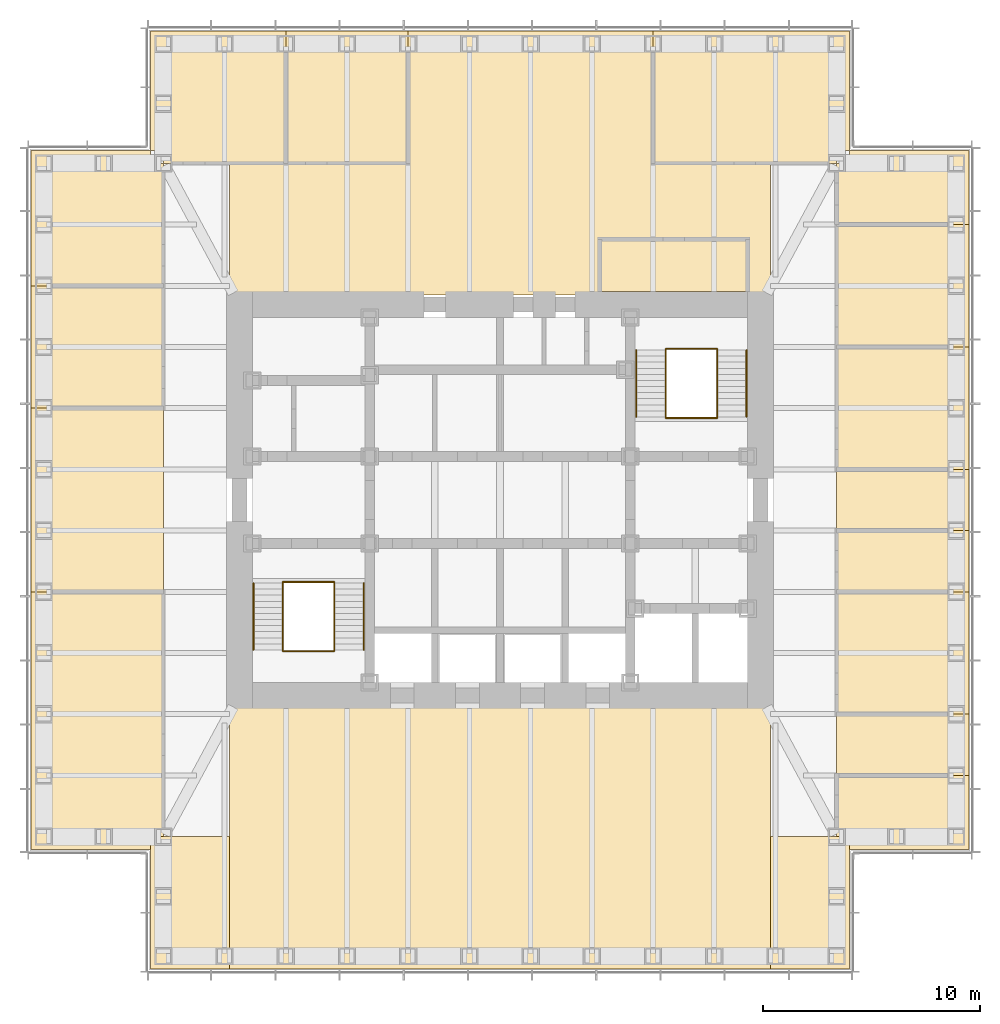
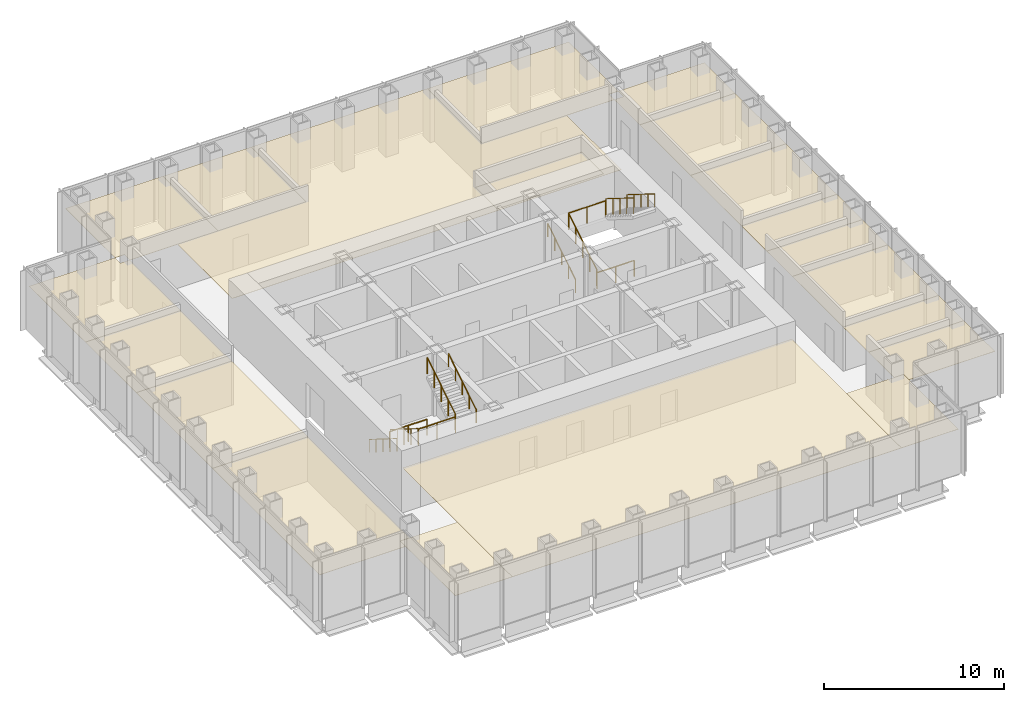
# One storey, part 16 of 16: 20 coverings, 12 railings.
"""IFC4 building model written with IfcOpenShell, lengths in metres."""

from ifc_helpers import new_model, si_unit, direction, frame, origin, origin_2d, place, context, subcontext, project, spatial, polyline, circle, outline, extrude, material, layer, layer_set, type_object, element, save


model = new_model("IFC4")

# Units and contexts
model_context = context("Model", 3, precision=1e-05, world=origin(), true_north=direction((0.0, 1.0)))
body_context = subcontext(model_context, "Body", "Model", "MODEL_VIEW")
ifc_project = project(units=[si_unit("LENGTHUNIT", "METRE"), si_unit("AREAUNIT", "SQUARE_METRE"), si_unit("VOLUMEUNIT", "CUBIC_METRE"), si_unit("PLANEANGLEUNIT", "RADIAN"), si_unit("MASSUNIT", "GRAM", prefix="KILO")], contexts=[model_context])

# Site, building, storey
site_placement = place(None, origin())
site = spatial("IfcSite", under=ifc_project, at=site_placement, CompositionType="ELEMENT")
building_placement = place(site_placement, origin())
building = spatial("IfcBuilding", under=site, at=building_placement, Name="Daluyong Arena Tower", CompositionType="ELEMENT")
storey_placement = place(building_placement, frame((0.0, 0.0, 214.89990234375)))
storey = spatial("IfcBuildingStorey", under=building, at=storey_placement, Name="L48", CompositionType="ELEMENT", Elevation=214.89990234375)

# Coverings
ifc_material_1 = material(Name="Mineral fibre ceiling tile", Category="gypsum board")
ifc_layer = layer(ifc_material_1, 0.02001953125)
ifc_layer_set = layer_set([ifc_layer], Name="Mineral fibre ceiling tile")
covering_type = type_object("IfcCoveringType", Name="Office ceiling", PredefinedType="CEILING", material=ifc_layer_set)
covering_1_placement = place(storey_placement, frame((0.0, 0.0, 2.900146484375)))
element("IfcCovering", 1, at=covering_1_placement, inside=storey, type_object=covering_type, Name="ceiling L48-01", PredefinedType="CEILING", context=body_context, shape_type="SweptSolid", body=[
    extrude(outline(polyline([(72.10009765625, 63.89990234375), (77.60009765625, 63.89990234375), (77.60009765625, 67.318115234375), (71.5, 67.318115234375), (71.5, 64.5), (72.10009765625, 64.5), (72.10009765625, 63.89990234375)])), origin(), (0.0, 0.0, 1.0), 0.02001953125),
])
covering_2_placement = place(storey_placement, frame((0.0, 0.0, 2.900146484375)))
element("IfcCovering", 2, at=covering_2_placement, inside=storey, type_object=covering_type, Name="ceiling L48-02", PredefinedType="CEILING", context=body_context, shape_type="SweptSolid", body=[
    extrude(outline(polyline([(71.5, 70.136474609375), (77.60009765625, 70.136474609375), (77.60009765625, 75.772705078125), (71.5, 75.772705078125), (71.5, 70.136474609375)])), origin(), (0.0, 0.0, 1.0), 0.02001953125),
])
covering_3_placement = place(storey_placement, frame((0.0, 0.0, 2.900146484375)))
element("IfcCovering", 3, at=covering_3_placement, inside=storey, type_object=covering_type, Name="ceiling L48-03", PredefinedType="CEILING", context=body_context, shape_type="SweptSolid", body=[
    extrude(outline(polyline([(71.5, 75.772705078125), (77.60009765625, 75.772705078125), (77.60009765625, 78.5908203125), (71.5, 78.5908203125), (71.5, 75.772705078125)])), origin(), (0.0, 0.0, 1.0), 0.02001953125),
])
covering_4_placement = place(storey_placement, frame((0.0, 0.0, 2.900146484375)))
element("IfcCovering", 4, at=covering_4_placement, inside=storey, type_object=covering_type, Name="ceiling L48-04", PredefinedType="CEILING", context=body_context, shape_type="SweptSolid", body=[
    extrude(outline(polyline([(71.5, 81.4091796875), (77.60009765625, 81.4091796875), (77.60009765625, 87.04541015625), (71.5, 87.04541015625), (71.5, 81.4091796875)])), origin(), (0.0, 0.0, 1.0), 0.02001953125),
])
covering_5_placement = place(storey_placement, frame((0.0, 0.0, 2.900146484375)))
element("IfcCovering", 5, at=covering_5_placement, inside=storey, type_object=covering_type, Name="ceiling L48-05", PredefinedType="CEILING", context=body_context, shape_type="SweptSolid", body=[
    extrude(outline(polyline([(71.5, 87.04541015625), (77.60009765625, 87.04541015625), (77.60009765625, 92.681884765625), (71.5, 92.681884765625), (71.5, 87.04541015625)])), origin(), (0.0, 0.0, 1.0), 0.02001953125),
])
covering_6_placement = place(storey_placement, frame((0.0, 0.0, 2.900146484375)))
element("IfcCovering", 6, at=covering_6_placement, inside=storey, type_object=covering_type, Name="ceiling L48-06", PredefinedType="CEILING", context=body_context, shape_type="SweptSolid", body=[
    extrude(outline(polyline([(71.5, 92.681884765625), (77.60009765625, 92.681884765625), (77.60009765625, 96.10009765625), (72.10009765625, 96.10009765625), (72.10009765625, 95.5), (71.5, 95.5), (71.5, 92.681884765625)])), origin(), (0.0, 0.0, 1.0), 0.02001953125),
])
covering_7_placement = place(storey_placement, frame((0.0, 0.0, 2.900146484375)))
element("IfcCovering", 7, at=covering_7_placement, inside=storey, type_object=covering_type, Name="ceiling L48-07", PredefinedType="CEILING", context=body_context, shape_type="SweptSolid", body=[
    extrude(outline(polyline([(46.136474609375, 95.5), (46.136474609375, 101.60009765625), (39.89990234375, 101.60009765625), (39.89990234375, 96.10009765625), (40.5, 96.10009765625), (40.5, 95.5), (46.136474609375, 95.5)])), origin(), (0.0, 0.0, 1.0), 0.02001953125),
])
covering_8_placement = place(storey_placement, frame((0.0, 0.0, 2.900146484375)))
element("IfcCovering", 8, at=covering_8_placement, inside=storey, type_object=covering_type, Name="ceiling L48-08", PredefinedType="CEILING", context=body_context, shape_type="SweptSolid", body=[
    extrude(outline(polyline([(51.772705078125, 95.5), (51.772705078125, 101.60009765625), (46.136474609375, 101.60009765625), (46.136474609375, 95.5), (51.772705078125, 95.5)])), origin(), (0.0, 0.0, 1.0), 0.02001953125),
])
covering_9_placement = place(storey_placement, frame((0.0, 0.0, 2.900146484375)))
element("IfcCovering", 9, at=covering_9_placement, inside=storey, type_object=covering_type, Name="ceiling L48-09", PredefinedType="CEILING", context=body_context, shape_type="SweptSolid", body=[
    extrude(outline(polyline([(63.04541015625, 95.5), (71.5, 95.5), (71.5, 96.10009765625), (72.10009765625, 96.10009765625), (72.10009765625, 101.60009765625), (63.04541015625, 101.60009765625), (63.04541015625, 95.5)])), origin(), (0.0, 0.0, 1.0), 0.02001953125),
])
covering_10_placement = place(storey_placement, frame((0.0, 0.0, 2.900146484375)))
element("IfcCovering", 10, at=covering_10_placement, inside=storey, type_object=covering_type, Name="ceiling L48-10", PredefinedType="CEILING", context=body_context, shape_type="SweptSolid", body=[
    extrude(outline(polyline([(34.39990234375, 63.89990234375), (39.89990234375, 63.89990234375), (39.89990234375, 64.5), (40.5, 64.5), (40.5, 75.772705078125), (34.39990234375, 75.772705078125), (34.39990234375, 63.89990234375)])), origin(), (0.0, 0.0, 1.0), 0.02001953125),
])
covering_11_placement = place(storey_placement, frame((0.0, 0.0, 2.900146484375)))
element("IfcCovering", 11, at=covering_11_placement, inside=storey, type_object=covering_type, Name="ceiling L48-11", PredefinedType="CEILING", context=body_context, shape_type="SweptSolid", body=[
    extrude(outline(polyline([(40.5, 89.863525390625), (34.39990234375, 89.863525390625), (34.39990234375, 84.227294921875), (40.5, 84.227294921875), (40.5, 89.863525390625)])), origin(), (0.0, 0.0, 1.0), 0.02001953125),
])
covering_12_placement = place(storey_placement, frame((0.0, 0.0, 2.900146484375)))
element("IfcCovering", 12, at=covering_12_placement, inside=storey, type_object=covering_type, Name="ceiling L48-12", PredefinedType="CEILING", context=body_context, shape_type="SweptSolid", body=[
    extrude(outline(polyline([(40.5, 89.863525390625), (40.5, 95.5), (39.89990234375, 95.5), (39.89990234375, 96.10009765625), (34.39990234375, 96.10009765625), (34.39990234375, 89.863525390625), (40.5, 89.863525390625)])), origin(), (0.0, 0.0, 1.0), 0.02001953125),
])
covering_13_placement = place(storey_placement, frame((0.0, 0.0, 2.900146484375)))
element("IfcCovering", 13, at=covering_13_placement, inside=storey, type_object=covering_type, Name="ceiling L48-13", PredefinedType="CEILING", context=body_context, shape_type="SweptSolid", body=[
    extrude(outline(polyline([(60.60009765625, 89.60009765625), (67.39990234375, 89.60009765625), (67.39990234375, 92.0), (60.60009765625, 92.0), (60.60009765625, 89.60009765625)])), origin(), (0.0, 0.0, 1.0), 0.02001953125),
])
covering_14_placement = place(storey_placement, frame((0.0, 0.0, 2.900146484375)))
element("IfcCovering", 14, at=covering_14_placement, inside=storey, type_object=covering_type, Name="ceiling L48-16", PredefinedType="CEILING", context=body_context, shape_type="SweptSolid", body=[
    extrude(outline(polyline([(43.550048828125, 58.39990234375), (68.449951171875, 58.39990234375), (68.449951171875, 70.550048828125), (43.550048828125, 70.550048828125), (43.550048828125, 58.39990234375)])), origin(), (0.0, 0.0, 1.0), 0.02001953125),
])
covering_15_placement = place(storey_placement, frame((0.0, 0.0, 2.900146484375)))
element("IfcCovering", 15, at=covering_15_placement, inside=storey, type_object=covering_type, Name="ceiling L48-17", PredefinedType="CEILING", context=body_context, shape_type="SweptSolid", body=[
    extrude(outline(polyline([(77.60009765625, 78.5908203125), (77.60009765625, 81.4091796875), (71.5, 81.4091796875), (71.5, 78.5908203125), (77.60009765625, 78.5908203125)])), origin(), (0.0, 0.0, 1.0), 0.02001953125),
])
covering_16_placement = place(storey_placement, frame((0.0, 0.0, 2.900146484375)))
element("IfcCovering", 16, at=covering_16_placement, inside=storey, type_object=covering_type, Name="ceiling L48-18", PredefinedType="CEILING", context=body_context, shape_type="SweptSolid", body=[
    extrude(outline(polyline([(77.60009765625, 67.318115234375), (77.60009765625, 70.136474609375), (71.5, 70.136474609375), (71.5, 67.318115234375), (77.60009765625, 67.318115234375)])), origin(), (0.0, 0.0, 1.0), 0.02001953125),
])
covering_17_placement = place(storey_placement, frame((0.0, 0.0, 2.900146484375)))
element("IfcCovering", 17, at=covering_17_placement, inside=storey, type_object=covering_type, Name="ceiling L48-19", PredefinedType="CEILING", context=body_context, shape_type="SweptSolid", body=[
    extrude(outline(polyline([(72.10009765625, 64.5), (68.449951171875, 64.5), (68.449951171875, 58.39990234375), (72.10009765625, 58.39990234375), (72.10009765625, 64.5)])), origin(), (0.0, 0.0, 1.0), 0.02001953125),
])
covering_18_placement = place(storey_placement, frame((0.0, 0.0, 2.900146484375)))
element("IfcCovering", 18, at=covering_18_placement, inside=storey, type_object=covering_type, Name="ceiling L48-20", PredefinedType="CEILING", context=body_context, shape_type="SweptSolid", body=[
    extrude(outline(polyline([(51.772705078125, 101.60009765625), (51.772705078125, 95.5), (43.550048828125, 95.5), (43.550048828125, 89.449951171875), (68.449951171875, 89.449951171875), (68.449951171875, 95.5), (63.04541015625, 95.5), (63.04541015625, 101.60009765625), (51.772705078125, 101.60009765625)]), holes=[polyline([(60.60009765625, 89.60009765625), (60.60009765625, 92.0), (67.39990234375, 92.0), (67.39990234375, 89.60009765625), (60.60009765625, 89.60009765625)])]), origin(), (0.0, 0.0, 1.0), 0.02001953125),
])
covering_19_placement = place(storey_placement, frame((0.0, 0.0, 2.900146484375)))
element("IfcCovering", 19, at=covering_19_placement, inside=storey, type_object=covering_type, Name="ceiling L48-21", PredefinedType="CEILING", context=body_context, shape_type="SweptSolid", body=[
    extrude(outline(polyline([(34.39990234375, 75.772705078125), (40.5, 75.772705078125), (40.5, 84.227294921875), (34.39990234375, 84.227294921875), (34.39990234375, 75.772705078125)])), origin(), (0.0, 0.0, 1.0), 0.02001953125),
])
covering_20_placement = place(storey_placement, frame((0.0, 0.0, 2.900146484375)))
element("IfcCovering", 20, at=covering_20_placement, inside=storey, type_object=covering_type, Name="ceiling L48-22", PredefinedType="CEILING", context=body_context, shape_type="SweptSolid", body=[
    extrude(outline(polyline([(39.89990234375, 58.39990234375), (43.550048828125, 58.39990234375), (43.550048828125, 64.5), (39.89990234375, 64.5), (39.89990234375, 58.39990234375)])), origin(), (0.0, 0.0, 1.0), 0.02001953125),
])

# Railings
ifc_material_2 = material(Name="Stainless steel handrail", Category="steel")
railing_type_1 = type_object("IfcRailingType", Name="Stair handrail", PredefinedType="HANDRAIL", material=ifc_material_2)
railing_1_placement = place(storey_placement, frame((44.64990234375, 76.175048828125, 0.175048828125)))
element("IfcRailing", 21, at=railing_1_placement, inside=storey, type_object=railing_type_1, Name="exit stair A handrail L48", PredefinedType="HANDRAIL", context=body_context, shape_type="SweptSolid", body=[
    extrude(circle(Radius=0.02392578125, at=origin_2d()), frame((0.0, 0.0, 0.8759765625), z_axis=(0.0, -0.847998304005, 0.529998940003), x_axis=(1.0, 0.0, 0.0)), (0.0, 0.0, 1.0), 3.632080078125),
    extrude(circle(Radius=0.02099609375, at=origin_2d()), origin(), (0.0, 0.0, 1.0), 0.851806640625),
    extrude(circle(Radius=0.02099609375, at=origin_2d()), frame((0.0, -0.77001953125, 0.481201171875)), (0.0, 0.0, 1.0), 0.851806640625),
    extrude(circle(Radius=0.02099609375, at=origin_2d()), frame((0.0, -1.5400390625, 0.96240234375)), (0.0, 0.0, 1.0), 0.851806640625),
    extrude(circle(Radius=0.02099609375, at=origin_2d()), frame((0.0, -2.31005859375, 1.44384765625)), (0.0, 0.0, 1.0), 0.851806640625),
    extrude(circle(Radius=0.02099609375, at=origin_2d()), frame((0.0, -3.080078125, 1.925048828125)), (0.0, 0.0, 1.0), 0.851806640625),
])
for number, where, name in (
    (22, (49.72509765625, 73.094970703125, 2.275146484375), "exit stair A handrail L48"),
    (23, (62.27490234375, 83.824951171875, 0.175048828125), "exit stair B handrail L48"),
):
    element("IfcRailing", number, at=place(storey_placement, frame(where)), inside=storey, type_object=railing_type_1, Name=name, PredefinedType="HANDRAIL", context=body_context, shape_type="SweptSolid", body=[
        extrude(circle(Radius=0.02392578125, at=origin_2d()), frame((0.0, 0.0, 0.8759765625), z_axis=(0.0, 0.847998304005, 0.529998940003), x_axis=(-1.0, 0.0, 0.0)), (0.0, 0.0, 1.0), 3.632080078125),
        extrude(circle(Radius=0.02099609375, at=origin_2d()), origin(), (0.0, 0.0, 1.0), 0.851806640625),
        extrude(circle(Radius=0.02099609375, at=origin_2d()), frame((0.0, 0.77001953125, 0.481201171875)), (0.0, 0.0, 1.0), 0.851806640625),
        extrude(circle(Radius=0.02099609375, at=origin_2d()), frame((0.0, 1.5400390625, 0.96240234375)), (0.0, 0.0, 1.0), 0.851806640625),
        extrude(circle(Radius=0.02099609375, at=origin_2d()), frame((0.0, 2.31005859375, 1.44384765625)), (0.0, 0.0, 1.0), 0.851806640625),
        extrude(circle(Radius=0.02099609375, at=origin_2d()), frame((0.0, 3.080078125, 1.925048828125)), (0.0, 0.0, 1.0), 0.851806640625),
    ])
railing_2_placement = place(storey_placement, frame((67.35009765625, 86.905029296875, 2.275146484375)))
element("IfcRailing", 24, at=railing_2_placement, inside=storey, type_object=railing_type_1, Name="exit stair B handrail L48", PredefinedType="HANDRAIL", context=body_context, shape_type="SweptSolid", body=[
    extrude(circle(Radius=0.02392578125, at=origin_2d()), frame((0.0, 0.0, 0.8759765625), z_axis=(0.0, -0.847998304005, 0.529998940003), x_axis=(1.0, 0.0, 0.0)), (0.0, 0.0, 1.0), 3.632080078125),
    extrude(circle(Radius=0.02099609375, at=origin_2d()), origin(), (0.0, 0.0, 1.0), 0.851806640625),
    extrude(circle(Radius=0.02099609375, at=origin_2d()), frame((0.0, -0.77001953125, 0.481201171875)), (0.0, 0.0, 1.0), 0.851806640625),
    extrude(circle(Radius=0.02099609375, at=origin_2d()), frame((0.0, -1.5400390625, 0.96240234375)), (0.0, 0.0, 1.0), 0.851806640625),
    extrude(circle(Radius=0.02099609375, at=origin_2d()), frame((0.0, -2.31005859375, 1.44384765625)), (0.0, 0.0, 1.0), 0.851806640625),
    extrude(circle(Radius=0.02099609375, at=origin_2d()), frame((0.0, -3.080078125, 1.925048828125)), (0.0, 0.0, 1.0), 0.851806640625),
])
ifc_material_3 = material(Name="Steel balustrade", Category="steel")
railing_type_2 = type_object("IfcRailingType", Name="Stair well guard 1100", PredefinedType="GUARDRAIL", material=ifc_material_3)
railing_3_placement = place(storey_placement, frame((46.0, 76.175048828125, 0.175048828125)))
element("IfcRailing", 25, at=railing_3_placement, inside=storey, type_object=railing_type_2, Name="exit stair A well guard L48", PredefinedType="GUARDRAIL", context=body_context, shape_type="SweptSolid", body=[
    extrude(circle(Radius=0.02392578125, at=origin_2d()), frame((0.0, 0.0, 1.076171875), z_axis=(0.0, -0.847998304005, 0.529998940003), x_axis=(1.0, 0.0, 0.0)), (0.0, 0.0, 1.0), 3.632080078125),
    extrude(circle(Radius=0.02099609375, at=origin_2d()), origin(), (0.0, 0.0, 1.0), 1.052001953125),
    extrude(circle(Radius=0.02099609375, at=origin_2d()), frame((0.0, -0.77001953125, 0.481201171875)), (0.0, 0.0, 1.0), 1.052001953125),
    extrude(circle(Radius=0.02099609375, at=origin_2d()), frame((0.0, -1.5400390625, 0.96240234375)), (0.0, 0.0, 1.0), 1.052001953125),
    extrude(circle(Radius=0.02099609375, at=origin_2d()), frame((0.0, -2.31005859375, 1.44384765625)), (0.0, 0.0, 1.0), 1.052001953125),
    extrude(circle(Radius=0.02099609375, at=origin_2d()), frame((0.0, -3.080078125, 1.925048828125)), (0.0, 0.0, 1.0), 1.052001953125),
])
railing_4_placement = place(storey_placement, frame((48.375, 73.094970703125, 2.275146484375)))
element("IfcRailing", 26, at=railing_4_placement, inside=storey, type_object=railing_type_2, Name="exit stair A well guard L48", PredefinedType="GUARDRAIL", context=body_context, shape_type="SweptSolid", body=[
    extrude(circle(Radius=0.02392578125, at=origin_2d()), frame((0.0, 0.0, 1.076171875), z_axis=(0.0, 0.847998304005, 0.529998940003), x_axis=(-1.0, 0.0, 0.0)), (0.0, 0.0, 1.0), 3.632080078125),
    extrude(circle(Radius=0.02099609375, at=origin_2d()), origin(), (0.0, 0.0, 1.0), 1.052001953125),
    extrude(circle(Radius=0.02099609375, at=origin_2d()), frame((0.0, 0.77001953125, 0.481201171875)), (0.0, 0.0, 1.0), 1.052001953125),
    extrude(circle(Radius=0.02099609375, at=origin_2d()), frame((0.0, 1.5400390625, 0.96240234375)), (0.0, 0.0, 1.0), 1.052001953125),
    extrude(circle(Radius=0.02099609375, at=origin_2d()), frame((0.0, 2.31005859375, 1.44384765625)), (0.0, 0.0, 1.0), 1.052001953125),
    extrude(circle(Radius=0.02099609375, at=origin_2d()), frame((0.0, 3.080078125, 1.925048828125)), (0.0, 0.0, 1.0), 1.052001953125),
])
for number, where, name in (
    (27, (46.0, 73.044921875, 2.10009765625), "exit stair A landing guard L48"),
    (28, (46.0, 76.22509765625, 0.0), "exit stair A floor landing guard L48"),
):
    element("IfcRailing", number, at=place(storey_placement, frame(where)), inside=storey, type_object=railing_type_2, Name=name, PredefinedType="GUARDRAIL", context=body_context, shape_type="SweptSolid", body=[
        extrude(circle(Radius=0.02392578125, at=origin_2d()), frame((0.0, 0.0, 1.076171875), z_axis=(1.0, 0.0, 0.0), x_axis=(0.0, 1.0, 0.0)), (0.0, 0.0, 1.0), 2.375),
        extrude(circle(Radius=0.02099609375, at=origin_2d()), origin(), (0.0, 0.0, 1.0), 1.052001953125),
        extrude(circle(Radius=0.02099609375, at=origin_2d()), frame((1.1875, 0.0, 0.0)), (0.0, 0.0, 1.0), 1.052001953125),
        extrude(circle(Radius=0.02099609375, at=origin_2d()), frame((2.375, 0.0, 0.0)), (0.0, 0.0, 1.0), 1.052001953125),
    ])
railing_5_placement = place(storey_placement, frame((63.625, 83.824951171875, 0.175048828125)))
element("IfcRailing", 29, at=railing_5_placement, inside=storey, type_object=railing_type_2, Name="exit stair B well guard L48", PredefinedType="GUARDRAIL", context=body_context, shape_type="SweptSolid", body=[
    extrude(circle(Radius=0.02392578125, at=origin_2d()), frame((0.0, 0.0, 1.076171875), z_axis=(0.0, 0.847998304005, 0.529998940003), x_axis=(-1.0, 0.0, 0.0)), (0.0, 0.0, 1.0), 3.632080078125),
    extrude(circle(Radius=0.02099609375, at=origin_2d()), origin(), (0.0, 0.0, 1.0), 1.052001953125),
    extrude(circle(Radius=0.02099609375, at=origin_2d()), frame((0.0, 0.77001953125, 0.481201171875)), (0.0, 0.0, 1.0), 1.052001953125),
    extrude(circle(Radius=0.02099609375, at=origin_2d()), frame((0.0, 1.5400390625, 0.96240234375)), (0.0, 0.0, 1.0), 1.052001953125),
    extrude(circle(Radius=0.02099609375, at=origin_2d()), frame((0.0, 2.31005859375, 1.44384765625)), (0.0, 0.0, 1.0), 1.052001953125),
    extrude(circle(Radius=0.02099609375, at=origin_2d()), frame((0.0, 3.080078125, 1.925048828125)), (0.0, 0.0, 1.0), 1.052001953125),
])
railing_6_placement = place(storey_placement, frame((66.0, 86.905029296875, 2.275146484375)))
element("IfcRailing", 30, at=railing_6_placement, inside=storey, type_object=railing_type_2, Name="exit stair B well guard L48", PredefinedType="GUARDRAIL", context=body_context, shape_type="SweptSolid", body=[
    extrude(circle(Radius=0.02392578125, at=origin_2d()), frame((0.0, 0.0, 1.076171875), z_axis=(0.0, -0.847998304005, 0.529998940003), x_axis=(1.0, 0.0, 0.0)), (0.0, 0.0, 1.0), 3.632080078125),
    extrude(circle(Radius=0.02099609375, at=origin_2d()), origin(), (0.0, 0.0, 1.0), 1.052001953125),
    extrude(circle(Radius=0.02099609375, at=origin_2d()), frame((0.0, -0.77001953125, 0.481201171875)), (0.0, 0.0, 1.0), 1.052001953125),
    extrude(circle(Radius=0.02099609375, at=origin_2d()), frame((0.0, -1.5400390625, 0.96240234375)), (0.0, 0.0, 1.0), 1.052001953125),
    extrude(circle(Radius=0.02099609375, at=origin_2d()), frame((0.0, -2.31005859375, 1.44384765625)), (0.0, 0.0, 1.0), 1.052001953125),
    extrude(circle(Radius=0.02099609375, at=origin_2d()), frame((0.0, -3.080078125, 1.925048828125)), (0.0, 0.0, 1.0), 1.052001953125),
])
for number, where, name in (
    (31, (63.625, 86.955078125, 2.10009765625), "exit stair B landing guard L48"),
    (32, (63.625, 83.77490234375, 0.0), "exit stair B floor landing guard L48"),
):
    element("IfcRailing", number, at=place(storey_placement, frame(where)), inside=storey, type_object=railing_type_2, Name=name, PredefinedType="GUARDRAIL", context=body_context, shape_type="SweptSolid", body=[
        extrude(circle(Radius=0.02392578125, at=origin_2d()), frame((0.0, 0.0, 1.076171875), z_axis=(1.0, 0.0, 0.0), x_axis=(0.0, 1.0, 0.0)), (0.0, 0.0, 1.0), 2.375),
        extrude(circle(Radius=0.02099609375, at=origin_2d()), origin(), (0.0, 0.0, 1.0), 1.052001953125),
        extrude(circle(Radius=0.02099609375, at=origin_2d()), frame((1.1875, 0.0, 0.0)), (0.0, 0.0, 1.0), 1.052001953125),
        extrude(circle(Radius=0.02099609375, at=origin_2d()), frame((2.375, 0.0, 0.0)), (0.0, 0.0, 1.0), 1.052001953125),
    ])

save(model, "model.ifc")
